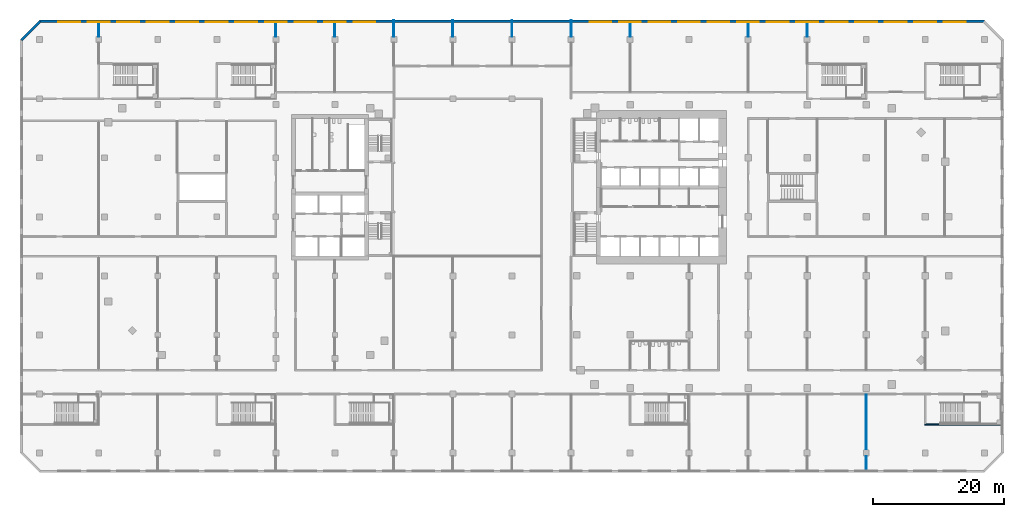
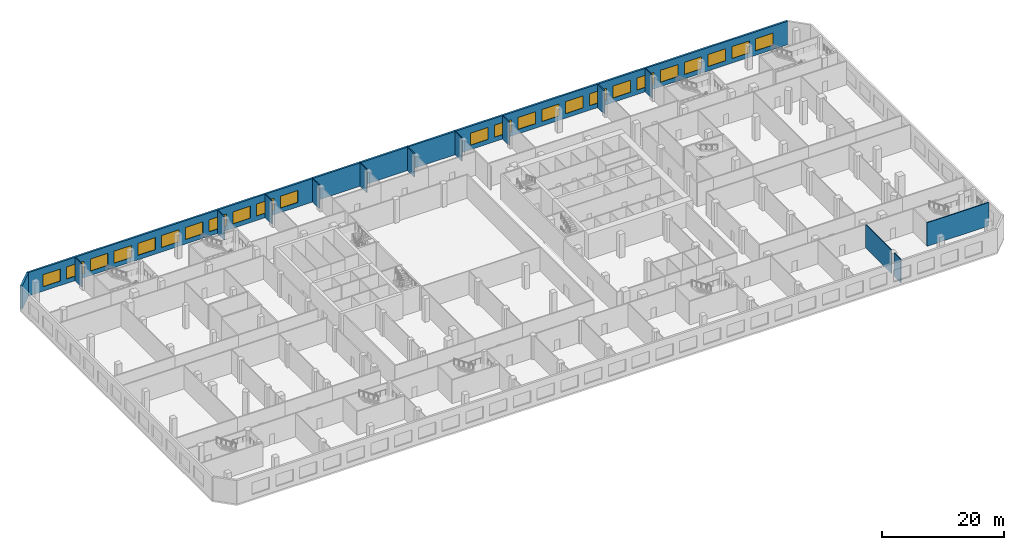
# One storey, part 13 of 21: 24 windows, 15 walls, 24 openings.
"""IFC4 building model written with IfcOpenShell, lengths in metres."""

from ifc_helpers import new_model, si_unit, direction, frame, frame_2d, origin, place, context, subcontext, project, spatial, rectangle, extrude, material, layer, layer_set, type_object, element, fill, save


model = new_model("IFC4")

# Units and contexts
model_context = context("Model", 3, precision=1e-05, world=origin(), true_north=direction((0.0, 1.0)))
body_context = subcontext(model_context, "Body", "Model", "MODEL_VIEW")
ifc_project = project(units=[si_unit("LENGTHUNIT", "METRE"), si_unit("AREAUNIT", "SQUARE_METRE"), si_unit("VOLUMEUNIT", "CUBIC_METRE"), si_unit("PLANEANGLEUNIT", "RADIAN"), si_unit("MASSUNIT", "GRAM", prefix="KILO")], contexts=[model_context])

# Site, building, storey
site_placement = place(None, origin())
site = spatial("IfcSite", under=ifc_project, at=site_placement, CompositionType="ELEMENT")
building_placement = place(site_placement, origin())
building = spatial("IfcBuilding", under=site, at=building_placement, Name="Cinnabar Reach Civic Tower", CompositionType="ELEMENT")
storey_placement = place(building_placement, frame((0.0, 0.0, 11.0)))
storey = spatial("IfcBuildingStorey", under=building, at=storey_placement, Name="L02", CompositionType="ELEMENT", Elevation=11.0)

# Wall
ifc_material_1 = material(Name="Facing brick with insulated backing", Category="masonry")
ifc_layer_1 = layer(ifc_material_1, 0.36)
ifc_layer_set_1 = layer_set([ifc_layer_1], Name="Brick corner wall")
wall_type_1 = type_object("IfcWallType", Name="Brick corner wall", PredefinedType="STANDARD", material=ifc_layer_set_1)
wall_1_placement = place(storey_placement, frame((-80.9611, 56.7843, 0.0), z_axis=(0.0, 0.0, 1.0), x_axis=(-0.707106781187, -0.707106781187, 0.0)))
element("IfcWall", 1, at=wall_1_placement, inside=storey, type_object=wall_type_1, Name="Brick corner wall", PredefinedType="STANDARD", context=body_context, shape_type="SweptSolid", body=[
    extrude(rectangle(XDim=3.9926, YDim=0.36, at=frame_2d((1.9963, 0.0))), origin(), (0.0, 0.0, 1.0), 4.7),
])

# Wall, openings, windows
ifc_layer_2 = layer(ifc_material_1, 0.36)
ifc_layer_set_2 = layer_set([ifc_layer_2], Name="Brick pier and spandrel wall")
wall_type_2 = type_object("IfcWallType", Name="Brick pier and spandrel wall", PredefinedType="STANDARD", material=ifc_layer_set_2)
wall_2_placement = place(storey_placement, frame((63.0, 56.82, 0.0), z_axis=(0.0, 0.0, 1.0), x_axis=(-1.0, 0.0, 0.0)))
wall_2 = element("IfcWall", 2, at=wall_2_placement, inside=storey, type_object=wall_type_2, Name="Brick facade wall", PredefinedType="STANDARD", context=body_context, shape_type="SweptSolid", body=[
    extrude(rectangle(XDim=144.0, YDim=0.36, at=frame_2d((72.0, 0.0))), origin(), (0.0, 0.0, 1.0), 4.7),
])
opening_1_placement = place(wall_2_placement, frame((2.85, 0.0, 0.9)))
opening_1 = element("IfcOpeningElement", 3, at=opening_1_placement, cuts=wall_2, Name="Opening W2976", PredefinedType="OPENING", context=body_context, shape_type="SweptSolid", body=[
    extrude(rectangle(XDim=3.3, YDim=2.4, at=frame_2d((1.65, 1.2))), frame((0.0, 0.19, 0.0), z_axis=(0.0, -1.0, 0.0), x_axis=(1.0, 0.0, 0.0)), (0.0, 0.0, 1.0), 0.38),
])
opening_2_placement = place(wall_2_placement, frame((7.35, 0.0, 0.9)))
opening_2 = element("IfcOpeningElement", 4, at=opening_2_placement, cuts=wall_2, Name="Opening W2977", PredefinedType="OPENING", context=body_context, shape_type="SweptSolid", body=[
    extrude(rectangle(XDim=3.3, YDim=2.4, at=frame_2d((1.65, 1.2))), frame((0.0, 0.19, 0.0), z_axis=(0.0, -1.0, 0.0), x_axis=(1.0, 0.0, 0.0)), (0.0, 0.0, 1.0), 0.38),
])
opening_3_placement = place(wall_2_placement, frame((11.85, 0.0, 0.9)))
opening_3 = element("IfcOpeningElement", 5, at=opening_3_placement, cuts=wall_2, Name="Opening W2978", PredefinedType="OPENING", context=body_context, shape_type="SweptSolid", body=[
    extrude(rectangle(XDim=3.3, YDim=2.4, at=frame_2d((1.65, 1.2))), frame((0.0, 0.19, 0.0), z_axis=(0.0, -1.0, 0.0), x_axis=(1.0, 0.0, 0.0)), (0.0, 0.0, 1.0), 0.38),
])
opening_4_placement = place(wall_2_placement, frame((16.35, 0.0, 0.9)))
opening_4 = element("IfcOpeningElement", 6, at=opening_4_placement, cuts=wall_2, Name="Opening W2979", PredefinedType="OPENING", context=body_context, shape_type="SweptSolid", body=[
    extrude(rectangle(XDim=3.3, YDim=2.4, at=frame_2d((1.65, 1.2))), frame((0.0, 0.19, 0.0), z_axis=(0.0, -1.0, 0.0), x_axis=(1.0, 0.0, 0.0)), (0.0, 0.0, 1.0), 0.38),
])
opening_5_placement = place(wall_2_placement, frame((20.85, 0.0, 0.9)))
opening_5 = element("IfcOpeningElement", 7, at=opening_5_placement, cuts=wall_2, Name="Opening W2980", PredefinedType="OPENING", context=body_context, shape_type="SweptSolid", body=[
    extrude(rectangle(XDim=3.3, YDim=2.4, at=frame_2d((1.65, 1.2))), frame((0.0, 0.19, 0.0), z_axis=(0.0, -1.0, 0.0), x_axis=(1.0, 0.0, 0.0)), (0.0, 0.0, 1.0), 0.38),
])
opening_6_placement = place(wall_2_placement, frame((25.35, 0.0, 0.9)))
opening_6 = element("IfcOpeningElement", 8, at=opening_6_placement, cuts=wall_2, Name="Opening W2981", PredefinedType="OPENING", context=body_context, shape_type="SweptSolid", body=[
    extrude(rectangle(XDim=3.3, YDim=2.4, at=frame_2d((1.65, 1.2))), frame((0.0, 0.19, 0.0), z_axis=(0.0, -1.0, 0.0), x_axis=(1.0, 0.0, 0.0)), (0.0, 0.0, 1.0), 0.38),
])
opening_7_placement = place(wall_2_placement, frame((29.85, 0.0, 0.9)))
opening_7 = element("IfcOpeningElement", 9, at=opening_7_placement, cuts=wall_2, Name="Opening W2982", PredefinedType="OPENING", context=body_context, shape_type="SweptSolid", body=[
    extrude(rectangle(XDim=3.3, YDim=2.4, at=frame_2d((1.65, 1.2))), frame((0.0, 0.19, 0.0), z_axis=(0.0, -1.0, 0.0), x_axis=(1.0, 0.0, 0.0)), (0.0, 0.0, 1.0), 0.38),
])
opening_8_placement = place(wall_2_placement, frame((34.35, 0.0, 0.9)))
opening_8 = element("IfcOpeningElement", 10, at=opening_8_placement, cuts=wall_2, Name="Opening W2983", PredefinedType="OPENING", context=body_context, shape_type="SweptSolid", body=[
    extrude(rectangle(XDim=3.3, YDim=2.4, at=frame_2d((1.65, 1.2))), frame((0.0, 0.19, 0.0), z_axis=(0.0, -1.0, 0.0), x_axis=(1.0, 0.0, 0.0)), (0.0, 0.0, 1.0), 0.38),
])
opening_9_placement = place(wall_2_placement, frame((38.85, 0.0, 0.9)))
opening_9 = element("IfcOpeningElement", 11, at=opening_9_placement, cuts=wall_2, Name="Opening W2984", PredefinedType="OPENING", context=body_context, shape_type="SweptSolid", body=[
    extrude(rectangle(XDim=3.3, YDim=2.4, at=frame_2d((1.65, 1.2))), frame((0.0, 0.19, 0.0), z_axis=(0.0, -1.0, 0.0), x_axis=(1.0, 0.0, 0.0)), (0.0, 0.0, 1.0), 0.38),
])
opening_10_placement = place(wall_2_placement, frame((43.35, 0.0, 0.9)))
opening_10 = element("IfcOpeningElement", 12, at=opening_10_placement, cuts=wall_2, Name="Opening W2985", PredefinedType="OPENING", context=body_context, shape_type="SweptSolid", body=[
    extrude(rectangle(XDim=3.3, YDim=2.4, at=frame_2d((1.65, 1.2))), frame((0.0, 0.19, 0.0), z_axis=(0.0, -1.0, 0.0), x_axis=(1.0, 0.0, 0.0)), (0.0, 0.0, 1.0), 0.38),
])
opening_11_placement = place(wall_2_placement, frame((47.85, 0.0, 0.9)))
opening_11 = element("IfcOpeningElement", 13, at=opening_11_placement, cuts=wall_2, Name="Opening W2986", PredefinedType="OPENING", context=body_context, shape_type="SweptSolid", body=[
    extrude(rectangle(XDim=3.3, YDim=2.4, at=frame_2d((1.65, 1.2))), frame((0.0, 0.19, 0.0), z_axis=(0.0, -1.0, 0.0), x_axis=(1.0, 0.0, 0.0)), (0.0, 0.0, 1.0), 0.38),
])
opening_12_placement = place(wall_2_placement, frame((52.35, 0.0, 0.9)))
opening_12 = element("IfcOpeningElement", 14, at=opening_12_placement, cuts=wall_2, Name="Opening W2987", PredefinedType="OPENING", context=body_context, shape_type="SweptSolid", body=[
    extrude(rectangle(XDim=3.3, YDim=2.4, at=frame_2d((1.65, 1.2))), frame((0.0, 0.19, 0.0), z_axis=(0.0, -1.0, 0.0), x_axis=(1.0, 0.0, 0.0)), (0.0, 0.0, 1.0), 0.38),
])
opening_13_placement = place(wall_2_placement, frame((56.85, 0.0, 0.9)))
opening_13 = element("IfcOpeningElement", 15, at=opening_13_placement, cuts=wall_2, Name="Opening W2988", PredefinedType="OPENING", context=body_context, shape_type="SweptSolid", body=[
    extrude(rectangle(XDim=3.3, YDim=2.4, at=frame_2d((1.65, 1.2))), frame((0.0, 0.19, 0.0), z_axis=(0.0, -1.0, 0.0), x_axis=(1.0, 0.0, 0.0)), (0.0, 0.0, 1.0), 0.38),
])
opening_14_placement = place(wall_2_placement, frame((92.85, 0.0, 0.9)))
opening_14 = element("IfcOpeningElement", 16, at=opening_14_placement, cuts=wall_2, Name="Opening W2989", PredefinedType="OPENING", context=body_context, shape_type="SweptSolid", body=[
    extrude(rectangle(XDim=3.3, YDim=2.4, at=frame_2d((1.65, 1.2))), frame((0.0, 0.19, 0.0), z_axis=(0.0, -1.0, 0.0), x_axis=(1.0, 0.0, 0.0)), (0.0, 0.0, 1.0), 0.38),
])
opening_15_placement = place(wall_2_placement, frame((97.35, 0.0, 0.9)))
opening_15 = element("IfcOpeningElement", 17, at=opening_15_placement, cuts=wall_2, Name="Opening W2990", PredefinedType="OPENING", context=body_context, shape_type="SweptSolid", body=[
    extrude(rectangle(XDim=3.3, YDim=2.4, at=frame_2d((1.65, 1.2))), frame((0.0, 0.19, 0.0), z_axis=(0.0, -1.0, 0.0), x_axis=(1.0, 0.0, 0.0)), (0.0, 0.0, 1.0), 0.38),
])
opening_16_placement = place(wall_2_placement, frame((101.85, 0.0, 0.9)))
opening_16 = element("IfcOpeningElement", 18, at=opening_16_placement, cuts=wall_2, Name="Opening W2991", PredefinedType="OPENING", context=body_context, shape_type="SweptSolid", body=[
    extrude(rectangle(XDim=3.3, YDim=2.4, at=frame_2d((1.65, 1.2))), frame((0.0, 0.19, 0.0), z_axis=(0.0, -1.0, 0.0), x_axis=(1.0, 0.0, 0.0)), (0.0, 0.0, 1.0), 0.38),
])
opening_17_placement = place(wall_2_placement, frame((106.35, 0.0, 0.9)))
opening_17 = element("IfcOpeningElement", 19, at=opening_17_placement, cuts=wall_2, Name="Opening W2992", PredefinedType="OPENING", context=body_context, shape_type="SweptSolid", body=[
    extrude(rectangle(XDim=3.3, YDim=2.4, at=frame_2d((1.65, 1.2))), frame((0.0, 0.19, 0.0), z_axis=(0.0, -1.0, 0.0), x_axis=(1.0, 0.0, 0.0)), (0.0, 0.0, 1.0), 0.38),
])
opening_18_placement = place(wall_2_placement, frame((110.85, 0.0, 0.9)))
opening_18 = element("IfcOpeningElement", 20, at=opening_18_placement, cuts=wall_2, Name="Opening W2993", PredefinedType="OPENING", context=body_context, shape_type="SweptSolid", body=[
    extrude(rectangle(XDim=3.3, YDim=2.4, at=frame_2d((1.65, 1.2))), frame((0.0, 0.19, 0.0), z_axis=(0.0, -1.0, 0.0), x_axis=(1.0, 0.0, 0.0)), (0.0, 0.0, 1.0), 0.38),
])
opening_19_placement = place(wall_2_placement, frame((115.35, 0.0, 0.9)))
opening_19 = element("IfcOpeningElement", 21, at=opening_19_placement, cuts=wall_2, Name="Opening W2994", PredefinedType="OPENING", context=body_context, shape_type="SweptSolid", body=[
    extrude(rectangle(XDim=3.3, YDim=2.4, at=frame_2d((1.65, 1.2))), frame((0.0, 0.19, 0.0), z_axis=(0.0, -1.0, 0.0), x_axis=(1.0, 0.0, 0.0)), (0.0, 0.0, 1.0), 0.38),
])
opening_20_placement = place(wall_2_placement, frame((119.85, 0.0, 0.9)))
opening_20 = element("IfcOpeningElement", 22, at=opening_20_placement, cuts=wall_2, Name="Opening W2995", PredefinedType="OPENING", context=body_context, shape_type="SweptSolid", body=[
    extrude(rectangle(XDim=3.3, YDim=2.4, at=frame_2d((1.65, 1.2))), frame((0.0, 0.19, 0.0), z_axis=(0.0, -1.0, 0.0), x_axis=(1.0, 0.0, 0.0)), (0.0, 0.0, 1.0), 0.38),
])
opening_21_placement = place(wall_2_placement, frame((124.35, 0.0, 0.9)))
opening_21 = element("IfcOpeningElement", 23, at=opening_21_placement, cuts=wall_2, Name="Opening W2996", PredefinedType="OPENING", context=body_context, shape_type="SweptSolid", body=[
    extrude(rectangle(XDim=3.3, YDim=2.4, at=frame_2d((1.65, 1.2))), frame((0.0, 0.19, 0.0), z_axis=(0.0, -1.0, 0.0), x_axis=(1.0, 0.0, 0.0)), (0.0, 0.0, 1.0), 0.38),
])
opening_22_placement = place(wall_2_placement, frame((128.85, 0.0, 0.9)))
opening_22 = element("IfcOpeningElement", 24, at=opening_22_placement, cuts=wall_2, Name="Opening W2997", PredefinedType="OPENING", context=body_context, shape_type="SweptSolid", body=[
    extrude(rectangle(XDim=3.3, YDim=2.4, at=frame_2d((1.65, 1.2))), frame((0.0, 0.19, 0.0), z_axis=(0.0, -1.0, 0.0), x_axis=(1.0, 0.0, 0.0)), (0.0, 0.0, 1.0), 0.38),
])
opening_23_placement = place(wall_2_placement, frame((133.35, 0.0, 0.9)))
opening_23 = element("IfcOpeningElement", 25, at=opening_23_placement, cuts=wall_2, Name="Opening W2998", PredefinedType="OPENING", context=body_context, shape_type="SweptSolid", body=[
    extrude(rectangle(XDim=3.3, YDim=2.4, at=frame_2d((1.65, 1.2))), frame((0.0, 0.19, 0.0), z_axis=(0.0, -1.0, 0.0), x_axis=(1.0, 0.0, 0.0)), (0.0, 0.0, 1.0), 0.38),
])
opening_24_placement = place(wall_2_placement, frame((137.85, 0.0, 0.9)))
opening_24 = element("IfcOpeningElement", 26, at=opening_24_placement, cuts=wall_2, Name="Opening W2999", PredefinedType="OPENING", context=body_context, shape_type="SweptSolid", body=[
    extrude(rectangle(XDim=3.3, YDim=2.4, at=frame_2d((1.65, 1.2))), frame((0.0, 0.19, 0.0), z_axis=(0.0, -1.0, 0.0), x_axis=(1.0, 0.0, 0.0)), (0.0, 0.0, 1.0), 0.38),
])
ifc_material_2 = material(Name="Clear double glazing in aluminium frame", Category="aluminium")
window_type = type_object("IfcWindowType", Name="Podium window P", PartitioningType="SINGLE_PANEL", PredefinedType="WINDOW", material=ifc_material_2)
window_1_placement = place(opening_1_placement, origin())
window_1 = element("IfcWindow", 27, at=window_1_placement, inside=storey, type_object=window_type, Name="Window north face", OverallHeight=2.4, OverallWidth=3.3, PartitioningType="SINGLE_PANEL", PredefinedType="WINDOW", context=body_context, shape_type="SweptSolid", body=[
    extrude(rectangle(XDim=3.3, YDim=2.4, at=frame_2d((1.65, 1.2))), frame((0.0, 0.13, 0.0), z_axis=(0.0, -1.0, 0.0), x_axis=(1.0, 0.0, 0.0)), (0.0, 0.0, 1.0), 0.06),
])
fill(opening_1, window_1)
window_2_placement = place(opening_2_placement, origin())
window_2 = element("IfcWindow", 28, at=window_2_placement, inside=storey, type_object=window_type, Name="Window north face", OverallHeight=2.4, OverallWidth=3.3, PartitioningType="SINGLE_PANEL", PredefinedType="WINDOW", context=body_context, shape_type="SweptSolid", body=[
    extrude(rectangle(XDim=3.3, YDim=2.4, at=frame_2d((1.65, 1.2))), frame((0.0, 0.13, 0.0), z_axis=(0.0, -1.0, 0.0), x_axis=(1.0, 0.0, 0.0)), (0.0, 0.0, 1.0), 0.06),
])
fill(opening_2, window_2)
window_3_placement = place(opening_3_placement, origin())
window_3 = element("IfcWindow", 29, at=window_3_placement, inside=storey, type_object=window_type, Name="Window north face", OverallHeight=2.4, OverallWidth=3.3, PartitioningType="SINGLE_PANEL", PredefinedType="WINDOW", context=body_context, shape_type="SweptSolid", body=[
    extrude(rectangle(XDim=3.3, YDim=2.4, at=frame_2d((1.65, 1.2))), frame((0.0, 0.13, 0.0), z_axis=(0.0, -1.0, 0.0), x_axis=(1.0, 0.0, 0.0)), (0.0, 0.0, 1.0), 0.06),
])
fill(opening_3, window_3)
window_4_placement = place(opening_4_placement, origin())
window_4 = element("IfcWindow", 30, at=window_4_placement, inside=storey, type_object=window_type, Name="Window north face", OverallHeight=2.4, OverallWidth=3.3, PartitioningType="SINGLE_PANEL", PredefinedType="WINDOW", context=body_context, shape_type="SweptSolid", body=[
    extrude(rectangle(XDim=3.3, YDim=2.4, at=frame_2d((1.65, 1.2))), frame((0.0, 0.13, 0.0), z_axis=(0.0, -1.0, 0.0), x_axis=(1.0, 0.0, 0.0)), (0.0, 0.0, 1.0), 0.06),
])
fill(opening_4, window_4)
window_5_placement = place(opening_5_placement, origin())
window_5 = element("IfcWindow", 31, at=window_5_placement, inside=storey, type_object=window_type, Name="Window north face", OverallHeight=2.4, OverallWidth=3.3, PartitioningType="SINGLE_PANEL", PredefinedType="WINDOW", context=body_context, shape_type="SweptSolid", body=[
    extrude(rectangle(XDim=3.3, YDim=2.4, at=frame_2d((1.65, 1.2))), frame((0.0, 0.13, 0.0), z_axis=(0.0, -1.0, 0.0), x_axis=(1.0, 0.0, 0.0)), (0.0, 0.0, 1.0), 0.06),
])
fill(opening_5, window_5)
window_6_placement = place(opening_6_placement, origin())
window_6 = element("IfcWindow", 32, at=window_6_placement, inside=storey, type_object=window_type, Name="Window north face", OverallHeight=2.4, OverallWidth=3.3, PartitioningType="SINGLE_PANEL", PredefinedType="WINDOW", context=body_context, shape_type="SweptSolid", body=[
    extrude(rectangle(XDim=3.3, YDim=2.4, at=frame_2d((1.65, 1.2))), frame((0.0, 0.13, 0.0), z_axis=(0.0, -1.0, 0.0), x_axis=(1.0, 0.0, 0.0)), (0.0, 0.0, 1.0), 0.06),
])
fill(opening_6, window_6)
window_7_placement = place(opening_7_placement, origin())
window_7 = element("IfcWindow", 33, at=window_7_placement, inside=storey, type_object=window_type, Name="Window north face", OverallHeight=2.4, OverallWidth=3.3, PartitioningType="SINGLE_PANEL", PredefinedType="WINDOW", context=body_context, shape_type="SweptSolid", body=[
    extrude(rectangle(XDim=3.3, YDim=2.4, at=frame_2d((1.65, 1.2))), frame((0.0, 0.13, 0.0), z_axis=(0.0, -1.0, 0.0), x_axis=(1.0, 0.0, 0.0)), (0.0, 0.0, 1.0), 0.06),
])
fill(opening_7, window_7)
window_8_placement = place(opening_8_placement, origin())
window_8 = element("IfcWindow", 34, at=window_8_placement, inside=storey, type_object=window_type, Name="Window north face", OverallHeight=2.4, OverallWidth=3.3, PartitioningType="SINGLE_PANEL", PredefinedType="WINDOW", context=body_context, shape_type="SweptSolid", body=[
    extrude(rectangle(XDim=3.3, YDim=2.4, at=frame_2d((1.65, 1.2))), frame((0.0, 0.13, 0.0), z_axis=(0.0, -1.0, 0.0), x_axis=(1.0, 0.0, 0.0)), (0.0, 0.0, 1.0), 0.06),
])
fill(opening_8, window_8)
window_9_placement = place(opening_9_placement, origin())
window_9 = element("IfcWindow", 35, at=window_9_placement, inside=storey, type_object=window_type, Name="Window north face", OverallHeight=2.4, OverallWidth=3.3, PartitioningType="SINGLE_PANEL", PredefinedType="WINDOW", context=body_context, shape_type="SweptSolid", body=[
    extrude(rectangle(XDim=3.3, YDim=2.4, at=frame_2d((1.65, 1.2))), frame((0.0, 0.13, 0.0), z_axis=(0.0, -1.0, 0.0), x_axis=(1.0, 0.0, 0.0)), (0.0, 0.0, 1.0), 0.06),
])
fill(opening_9, window_9)
window_10_placement = place(opening_10_placement, origin())
window_10 = element("IfcWindow", 36, at=window_10_placement, inside=storey, type_object=window_type, Name="Window north face", OverallHeight=2.4, OverallWidth=3.3, PartitioningType="SINGLE_PANEL", PredefinedType="WINDOW", context=body_context, shape_type="SweptSolid", body=[
    extrude(rectangle(XDim=3.3, YDim=2.4, at=frame_2d((1.65, 1.2))), frame((0.0, 0.13, 0.0), z_axis=(0.0, -1.0, 0.0), x_axis=(1.0, 0.0, 0.0)), (0.0, 0.0, 1.0), 0.06),
])
fill(opening_10, window_10)
window_11_placement = place(opening_11_placement, origin())
window_11 = element("IfcWindow", 37, at=window_11_placement, inside=storey, type_object=window_type, Name="Window north face", OverallHeight=2.4, OverallWidth=3.3, PartitioningType="SINGLE_PANEL", PredefinedType="WINDOW", context=body_context, shape_type="SweptSolid", body=[
    extrude(rectangle(XDim=3.3, YDim=2.4, at=frame_2d((1.65, 1.2))), frame((0.0, 0.13, 0.0), z_axis=(0.0, -1.0, 0.0), x_axis=(1.0, 0.0, 0.0)), (0.0, 0.0, 1.0), 0.06),
])
fill(opening_11, window_11)
window_12_placement = place(opening_12_placement, origin())
window_12 = element("IfcWindow", 38, at=window_12_placement, inside=storey, type_object=window_type, Name="Window north face", OverallHeight=2.4, OverallWidth=3.3, PartitioningType="SINGLE_PANEL", PredefinedType="WINDOW", context=body_context, shape_type="SweptSolid", body=[
    extrude(rectangle(XDim=3.3, YDim=2.4, at=frame_2d((1.65, 1.2))), frame((0.0, 0.13, 0.0), z_axis=(0.0, -1.0, 0.0), x_axis=(1.0, 0.0, 0.0)), (0.0, 0.0, 1.0), 0.06),
])
fill(opening_12, window_12)
window_13_placement = place(opening_13_placement, origin())
window_13 = element("IfcWindow", 39, at=window_13_placement, inside=storey, type_object=window_type, Name="Window north face", OverallHeight=2.4, OverallWidth=3.3, PartitioningType="SINGLE_PANEL", PredefinedType="WINDOW", context=body_context, shape_type="SweptSolid", body=[
    extrude(rectangle(XDim=3.3, YDim=2.4, at=frame_2d((1.65, 1.2))), frame((0.0, 0.13, 0.0), z_axis=(0.0, -1.0, 0.0), x_axis=(1.0, 0.0, 0.0)), (0.0, 0.0, 1.0), 0.06),
])
fill(opening_13, window_13)
window_14_placement = place(opening_14_placement, origin())
window_14 = element("IfcWindow", 40, at=window_14_placement, inside=storey, type_object=window_type, Name="Window north face", OverallHeight=2.4, OverallWidth=3.3, PartitioningType="SINGLE_PANEL", PredefinedType="WINDOW", context=body_context, shape_type="SweptSolid", body=[
    extrude(rectangle(XDim=3.3, YDim=2.4, at=frame_2d((1.65, 1.2))), frame((0.0, 0.13, 0.0), z_axis=(0.0, -1.0, 0.0), x_axis=(1.0, 0.0, 0.0)), (0.0, 0.0, 1.0), 0.06),
])
fill(opening_14, window_14)
window_15_placement = place(opening_15_placement, origin())
window_15 = element("IfcWindow", 41, at=window_15_placement, inside=storey, type_object=window_type, Name="Window north face", OverallHeight=2.4, OverallWidth=3.3, PartitioningType="SINGLE_PANEL", PredefinedType="WINDOW", context=body_context, shape_type="SweptSolid", body=[
    extrude(rectangle(XDim=3.3, YDim=2.4, at=frame_2d((1.65, 1.2))), frame((0.0, 0.13, 0.0), z_axis=(0.0, -1.0, 0.0), x_axis=(1.0, 0.0, 0.0)), (0.0, 0.0, 1.0), 0.06),
])
fill(opening_15, window_15)
window_16_placement = place(opening_16_placement, origin())
window_16 = element("IfcWindow", 42, at=window_16_placement, inside=storey, type_object=window_type, Name="Window north face", OverallHeight=2.4, OverallWidth=3.3, PartitioningType="SINGLE_PANEL", PredefinedType="WINDOW", context=body_context, shape_type="SweptSolid", body=[
    extrude(rectangle(XDim=3.3, YDim=2.4, at=frame_2d((1.65, 1.2))), frame((0.0, 0.13, 0.0), z_axis=(0.0, -1.0, 0.0), x_axis=(1.0, 0.0, 0.0)), (0.0, 0.0, 1.0), 0.06),
])
fill(opening_16, window_16)
window_17_placement = place(opening_17_placement, origin())
window_17 = element("IfcWindow", 43, at=window_17_placement, inside=storey, type_object=window_type, Name="Window north face", OverallHeight=2.4, OverallWidth=3.3, PartitioningType="SINGLE_PANEL", PredefinedType="WINDOW", context=body_context, shape_type="SweptSolid", body=[
    extrude(rectangle(XDim=3.3, YDim=2.4, at=frame_2d((1.65, 1.2))), frame((0.0, 0.13, 0.0), z_axis=(0.0, -1.0, 0.0), x_axis=(1.0, 0.0, 0.0)), (0.0, 0.0, 1.0), 0.06),
])
fill(opening_17, window_17)
window_18_placement = place(opening_18_placement, origin())
window_18 = element("IfcWindow", 44, at=window_18_placement, inside=storey, type_object=window_type, Name="Window north face", OverallHeight=2.4, OverallWidth=3.3, PartitioningType="SINGLE_PANEL", PredefinedType="WINDOW", context=body_context, shape_type="SweptSolid", body=[
    extrude(rectangle(XDim=3.3, YDim=2.4, at=frame_2d((1.65, 1.2))), frame((0.0, 0.13, 0.0), z_axis=(0.0, -1.0, 0.0), x_axis=(1.0, 0.0, 0.0)), (0.0, 0.0, 1.0), 0.06),
])
fill(opening_18, window_18)
window_19_placement = place(opening_19_placement, origin())
window_19 = element("IfcWindow", 45, at=window_19_placement, inside=storey, type_object=window_type, Name="Window north face", OverallHeight=2.4, OverallWidth=3.3, PartitioningType="SINGLE_PANEL", PredefinedType="WINDOW", context=body_context, shape_type="SweptSolid", body=[
    extrude(rectangle(XDim=3.3, YDim=2.4, at=frame_2d((1.65, 1.2))), frame((0.0, 0.13, 0.0), z_axis=(0.0, -1.0, 0.0), x_axis=(1.0, 0.0, 0.0)), (0.0, 0.0, 1.0), 0.06),
])
fill(opening_19, window_19)
window_20_placement = place(opening_20_placement, origin())
window_20 = element("IfcWindow", 46, at=window_20_placement, inside=storey, type_object=window_type, Name="Window north face", OverallHeight=2.4, OverallWidth=3.3, PartitioningType="SINGLE_PANEL", PredefinedType="WINDOW", context=body_context, shape_type="SweptSolid", body=[
    extrude(rectangle(XDim=3.3, YDim=2.4, at=frame_2d((1.65, 1.2))), frame((0.0, 0.13, 0.0), z_axis=(0.0, -1.0, 0.0), x_axis=(1.0, 0.0, 0.0)), (0.0, 0.0, 1.0), 0.06),
])
fill(opening_20, window_20)
window_21_placement = place(opening_21_placement, origin())
window_21 = element("IfcWindow", 47, at=window_21_placement, inside=storey, type_object=window_type, Name="Window north face", OverallHeight=2.4, OverallWidth=3.3, PartitioningType="SINGLE_PANEL", PredefinedType="WINDOW", context=body_context, shape_type="SweptSolid", body=[
    extrude(rectangle(XDim=3.3, YDim=2.4, at=frame_2d((1.65, 1.2))), frame((0.0, 0.13, 0.0), z_axis=(0.0, -1.0, 0.0), x_axis=(1.0, 0.0, 0.0)), (0.0, 0.0, 1.0), 0.06),
])
fill(opening_21, window_21)
window_22_placement = place(opening_22_placement, origin())
window_22 = element("IfcWindow", 48, at=window_22_placement, inside=storey, type_object=window_type, Name="Window north face", OverallHeight=2.4, OverallWidth=3.3, PartitioningType="SINGLE_PANEL", PredefinedType="WINDOW", context=body_context, shape_type="SweptSolid", body=[
    extrude(rectangle(XDim=3.3, YDim=2.4, at=frame_2d((1.65, 1.2))), frame((0.0, 0.13, 0.0), z_axis=(0.0, -1.0, 0.0), x_axis=(1.0, 0.0, 0.0)), (0.0, 0.0, 1.0), 0.06),
])
fill(opening_22, window_22)
window_23_placement = place(opening_23_placement, origin())
window_23 = element("IfcWindow", 49, at=window_23_placement, inside=storey, type_object=window_type, Name="Window north face", OverallHeight=2.4, OverallWidth=3.3, PartitioningType="SINGLE_PANEL", PredefinedType="WINDOW", context=body_context, shape_type="SweptSolid", body=[
    extrude(rectangle(XDim=3.3, YDim=2.4, at=frame_2d((1.65, 1.2))), frame((0.0, 0.13, 0.0), z_axis=(0.0, -1.0, 0.0), x_axis=(1.0, 0.0, 0.0)), (0.0, 0.0, 1.0), 0.06),
])
fill(opening_23, window_23)
window_24_placement = place(opening_24_placement, origin())
window_24 = element("IfcWindow", 50, at=window_24_placement, inside=storey, type_object=window_type, Name="Window north face", OverallHeight=2.4, OverallWidth=3.3, PartitioningType="SINGLE_PANEL", PredefinedType="WINDOW", context=body_context, shape_type="SweptSolid", body=[
    extrude(rectangle(XDim=3.3, YDim=2.4, at=frame_2d((1.65, 1.2))), frame((0.0, 0.13, 0.0), z_axis=(0.0, -1.0, 0.0), x_axis=(1.0, 0.0, 0.0)), (0.0, 0.0, 1.0), 0.06),
])
fill(opening_24, window_24)

# Walls
ifc_material_3 = material(Name="Gypsum board on steel studs", Category="steel")
ifc_layer_3 = layer(ifc_material_3, 0.15)
ifc_layer_set_3 = layer_set([ifc_layer_3], Name="Podium partition wall 150 EI 90")
wall_type_3 = type_object("IfcWallType", Name="Podium partition wall 150 EI 90", PredefinedType="PARTITIONING", material=ifc_layer_set_3)
for number, where, z_axis, x_axis, name in (
    (51, (-18.0, 54.47, 0.0), (0.0, 0.0, 1.0), (0.0, 1.0, 0.0), "Wall L02 144"),
    (52, (-27.0, 54.47, 0.0), (0.0, 0.0, 1.0), (0.0, 1.0, 0.0), "Wall L02 146"),
    (53, (-9.0, 54.47, 0.0), (0.0, 0.0, 1.0), (0.0, 1.0, 0.0), "Wall L02 148"),
    (54, (0.0, 54.47, 0.0), (0.0, 0.0, 1.0), (0.0, 1.0, 0.0), "Wall L02 150"),
):
    element("IfcWall", number, at=place(storey_placement, frame(where, z_axis=z_axis, x_axis=x_axis)), inside=storey, type_object=wall_type_3, Name=name, PredefinedType="PARTITIONING", context=body_context, shape_type="SweptSolid", body=[
        extrude(rectangle(XDim=2.53, YDim=0.15, at=frame_2d((1.265, 0.0))), origin(), (0.0, 0.0, 1.0), 4.7),
    ])
wall_3_placement = place(storey_placement, frame((45.0, -11.6, 0.0), z_axis=(0.0, 0.0, 1.0), x_axis=(0.0, 1.0, 0.0)))
element("IfcWall", 55, at=wall_3_placement, inside=storey, type_object=wall_type_3, Name="Wall L02 169", PredefinedType="PARTITIONING", context=body_context, shape_type="SweptSolid", body=[
    extrude(rectangle(XDim=2.13, YDim=0.15, at=frame_2d((1.065, 0.0))), origin(), (0.0, 0.0, 1.0), 4.7),
])
wall_4_placement = place(storey_placement, frame((45.0, -8.53, 0.0), z_axis=(0.0, 0.0, 1.0), x_axis=(0.0, 1.0, 0.0)))
element("IfcWall", 56, at=wall_4_placement, inside=storey, type_object=wall_type_3, Name="Wall L02 170", PredefinedType="PARTITIONING", context=body_context, shape_type="SweptSolid", body=[
    extrude(rectangle(XDim=8.43, YDim=0.15, at=frame_2d((4.215, 0.0))), origin(), (0.0, 0.0, 1.0), 4.7),
])
for number, where, z_axis, x_axis, name in (
    (57, (-72.0, 54.47, 0.0), (0.0, 0.0, 1.0), (0.0, 1.0, 0.0), "Wall L02 216"),
    (58, (-45.0, 54.47, 0.0), (0.0, 0.0, 1.0), (0.0, 1.0, 0.0), "Wall L02 218"),
    (59, (-36.0, 54.47, 0.0), (0.0, 0.0, 1.0), (0.0, 1.0, 0.0), "Wall L02 220"),
    (60, (9.0, 54.47, 0.0), (0.0, 0.0, 1.0), (0.0, 1.0, 0.0), "Wall L02 222"),
    (61, (27.0, 54.47, 0.0), (0.0, 0.0, 1.0), (0.0, 1.0, 0.0), "Wall L02 224"),
    (62, (36.0, 54.47, 0.0), (0.0, 0.0, 1.0), (0.0, 1.0, 0.0), "Wall L02 226"),
):
    element("IfcWall", number, at=place(storey_placement, frame(where, z_axis=z_axis, x_axis=x_axis)), inside=storey, type_object=wall_type_3, Name=name, PredefinedType="PARTITIONING", context=body_context, shape_type="SweptSolid", body=[
        extrude(rectangle(XDim=2.13, YDim=0.15, at=frame_2d((1.065, 0.0))), origin(), (0.0, 0.0, 1.0), 4.7),
    ])
ifc_material_4 = material(Name="Concrete C40", Category="concrete")
ifc_layer_4 = layer(ifc_material_4, 0.2)
ifc_layer_set_4 = layer_set([ifc_layer_4], Name="Podium stair shaft wall 200 EI 120")
wall_type_4 = type_object("IfcWallType", Name="Podium stair shaft wall 200 EI 120", PredefinedType="SOLIDWALL", material=ifc_layer_set_4)
wall_5_placement = place(storey_placement, frame((53.9, -4.65, 0.0), z_axis=(0.0, 0.0, 1.0), x_axis=(1.0, 0.0, 0.0)))
element("IfcWall", 63, at=wall_5_placement, inside=storey, type_object=wall_type_4, Name="Wall L02 16", PredefinedType="SOLIDWALL", context=body_context, shape_type="SweptSolid", body=[
    extrude(rectangle(XDim=11.7, YDim=0.2, at=frame_2d((5.85, 0.0))), origin(), (0.0, 0.0, 1.0), 4.7),
])

save(model, "model.ifc")
